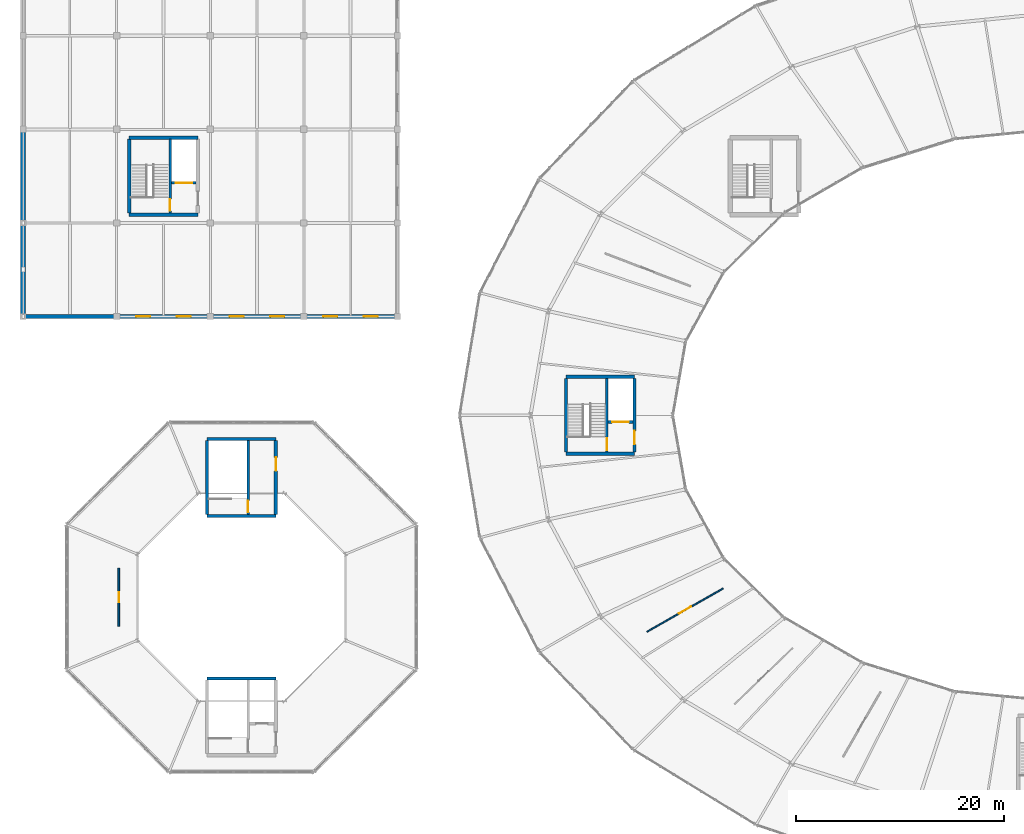
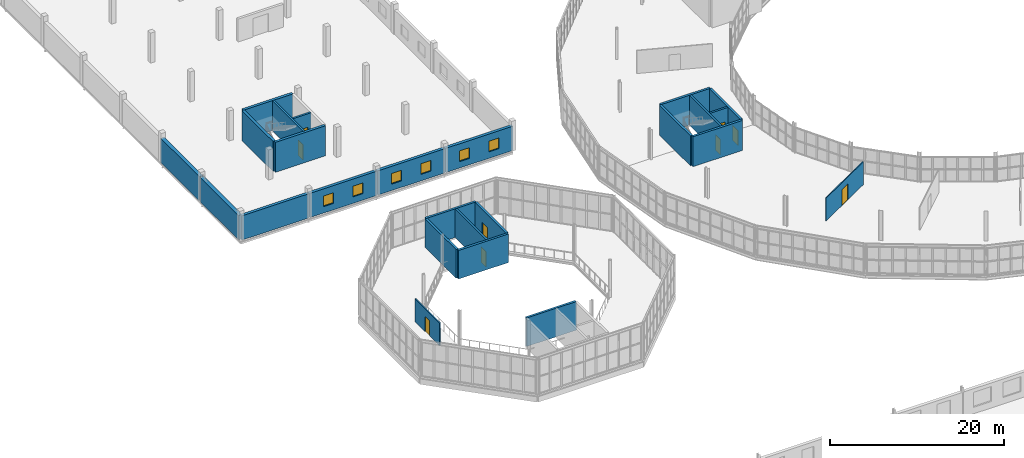
# One storey, part 136 of 161: 25 walls, 9 doors, 6 windows, 15 openings.
"""IFC4 building model written with IfcOpenShell, lengths in metres."""

from ifc_helpers import new_model, si_unit, direction, frame, frame_2d, origin, place, context, subcontext, project, spatial, rectangle, extrude, material, layer, layer_set, type_object, element, fill, save


model = new_model("IFC4")

# Units and contexts
model_context = context("Model", 3, precision=1e-05, world=origin(), true_north=direction((0.0, 1.0)))
body_context = subcontext(model_context, "Body", "Model", "MODEL_VIEW")
ifc_project = project(units=[si_unit("LENGTHUNIT", "METRE"), si_unit("AREAUNIT", "SQUARE_METRE"), si_unit("VOLUMEUNIT", "CUBIC_METRE"), si_unit("PLANEANGLEUNIT", "RADIAN"), si_unit("MASSUNIT", "GRAM", prefix="KILO")], contexts=[model_context])

# Site, building, storey
site_placement = place(None, origin())
site = spatial("IfcSite", under=ifc_project, at=site_placement, CompositionType="ELEMENT")
building_placement = place(site_placement, origin())
building = spatial("IfcBuilding", under=site, at=building_placement, Name="Kildeholm Park Wholesale Market", CompositionType="ELEMENT")
storey_placement = place(building_placement, frame((0.0, 0.0, 5.39990234375)))
storey = spatial("IfcBuildingStorey", under=building, at=storey_placement, Name="L01", CompositionType="ELEMENT", Elevation=5.39990234375)

# Wall
ifc_material_1 = material(Name="Precast concrete C40/50 insulated cold-store envelope wall", Category="concrete")
ifc_layer_1 = layer(ifc_material_1, 0.3798828125)
ifc_layer_set_1 = layer_set([ifc_layer_1], Name="Precast concrete C40/50 insulated cold-store envelope wall")
wall_type_1 = type_object("IfcWallType", Name="Exterior wall W-CS1 380 mm", PredefinedType="SOLIDWALL", material=ifc_layer_set_1)
wall_1_placement = place(storey_placement, frame((0.06005859375, 99.0, 0.0), z_axis=(0.0, 0.0, 1.0), x_axis=(1.0, 0.0, 0.0)))
element("IfcWall", 1, at=wall_1_placement, inside=storey, type_object=wall_type_1, Name="Exterior wall V4WS-L01.1 WL-0405", PredefinedType="SOLIDWALL", context=body_context, shape_type="SweptSolid", body=[
    extrude(rectangle(XDim=8.8798828125, YDim=0.3798828125, at=frame_2d((4.43994140625, 0.0))), origin(), (0.0, 0.0, 1.0), 3.400146484375),
])

# Wall, openings, windows
wall_2_placement = place(storey_placement, frame((9.06005859375, 99.0, 0.0), z_axis=(0.0, 0.0, 1.0), x_axis=(1.0, 0.0, 0.0)))
wall_2 = element("IfcWall", 2, at=wall_2_placement, inside=storey, type_object=wall_type_1, Name="Exterior wall V4WS-L01.2 WL-0406", PredefinedType="SOLIDWALL", context=body_context, shape_type="SweptSolid", body=[
    extrude(rectangle(XDim=8.8798828125, YDim=0.3798828125, at=frame_2d((4.43994140625, 0.0))), origin(), (0.0, 0.0, 1.0), 3.400146484375),
])
opening_1_placement = place(wall_2_placement, frame((1.81103515625, 0.0, 0.89990234375)))
opening_1 = element("IfcOpeningElement", 3, at=opening_1_placement, cuts=wall_2, Name="Opening WN-10", PredefinedType="OPENING", context=body_context, shape_type="SweptSolid", body=[
    extrude(rectangle(XDim=1.35009765625, YDim=1.5, at=frame_2d((0.675048828125, 0.75))), frame((0.0, 0.199951171875, 0.0), z_axis=(0.0, -1.0, 0.0), x_axis=(1.0, 0.0, 0.0)), (0.0, 0.0, 1.0), 0.39990234375),
])
opening_2_placement = place(wall_2_placement, frame((5.718994140625, 0.0, 0.89990234375)))
opening_2 = element("IfcOpeningElement", 4, at=opening_2_placement, cuts=wall_2, Name="Opening WN-10", PredefinedType="OPENING", context=body_context, shape_type="SweptSolid", body=[
    extrude(rectangle(XDim=1.35009765625, YDim=1.5, at=frame_2d((0.675048828125, 0.75))), frame((0.0, 0.199951171875, 0.0), z_axis=(0.0, -1.0, 0.0), x_axis=(1.0, 0.0, 0.0)), (0.0, 0.0, 1.0), 0.39990234375),
])
ifc_material_2 = material(Name="Thermally broken aluminium and triple-glazed low-E glass", Category="aluminium")
window_type = type_object("IfcWindowType", Name="Window WN-10 1350x1500", PartitioningType="SINGLE_PANEL", PredefinedType="WINDOW", material=ifc_material_2)
window_1_placement = place(opening_1_placement, origin())
window_1 = element("IfcWindow", 5, at=window_1_placement, inside=storey, type_object=window_type, Name="Window V4WS-L01.2.1 WIN-0195", OverallHeight=1.5, OverallWidth=1.35009765625, PartitioningType="SINGLE_PANEL", PredefinedType="WINDOW", context=body_context, shape_type="SweptSolid", body=[
    extrude(rectangle(XDim=1.35009765625, YDim=1.5, at=frame_2d((0.675048828125, 0.75))), frame((0.0, 0.030029296875, 0.0), z_axis=(0.0, -1.0, 0.0), x_axis=(1.0, 0.0, 0.0)), (0.0, 0.0, 1.0), 0.06005859375),
])
fill(opening_1, window_1)
window_2_placement = place(opening_2_placement, origin())
window_2 = element("IfcWindow", 6, at=window_2_placement, inside=storey, type_object=window_type, Name="Window V4WS-L01.2.2 WIN-0196", OverallHeight=1.5, OverallWidth=1.35009765625, PartitioningType="SINGLE_PANEL", PredefinedType="WINDOW", context=body_context, shape_type="SweptSolid", body=[
    extrude(rectangle(XDim=1.35009765625, YDim=1.5, at=frame_2d((0.675048828125, 0.75))), frame((0.0, 0.030029296875, 0.0), z_axis=(0.0, -1.0, 0.0), x_axis=(1.0, 0.0, 0.0)), (0.0, 0.0, 1.0), 0.06005859375),
])
fill(opening_2, window_2)

wall_3_placement = place(storey_placement, frame((18.06005859375, 99.0, 0.0), z_axis=(0.0, 0.0, 1.0), x_axis=(1.0, 0.0, 0.0)))
wall_3 = element("IfcWall", 7, at=wall_3_placement, inside=storey, type_object=wall_type_1, Name="Exterior wall V4WS-L01.3 WL-0407", PredefinedType="SOLIDWALL", context=body_context, shape_type="SweptSolid", body=[
    extrude(rectangle(XDim=8.8798828125, YDim=0.3798828125, at=frame_2d((4.43994140625, 0.0))), origin(), (0.0, 0.0, 1.0), 3.400146484375),
])
opening_3_placement = place(wall_3_placement, frame((1.81103515625, 0.0, 0.89990234375)))
opening_3 = element("IfcOpeningElement", 8, at=opening_3_placement, cuts=wall_3, Name="Opening WN-10", PredefinedType="OPENING", context=body_context, shape_type="SweptSolid", body=[
    extrude(rectangle(XDim=1.35009765625, YDim=1.5, at=frame_2d((0.675048828125, 0.75))), frame((0.0, 0.199951171875, 0.0), z_axis=(0.0, -1.0, 0.0), x_axis=(1.0, 0.0, 0.0)), (0.0, 0.0, 1.0), 0.39990234375),
])
opening_4_placement = place(wall_3_placement, frame((5.718994140625, 0.0, 0.89990234375)))
opening_4 = element("IfcOpeningElement", 9, at=opening_4_placement, cuts=wall_3, Name="Opening WN-10", PredefinedType="OPENING", context=body_context, shape_type="SweptSolid", body=[
    extrude(rectangle(XDim=1.35009765625, YDim=1.5, at=frame_2d((0.675048828125, 0.75))), frame((0.0, 0.199951171875, 0.0), z_axis=(0.0, -1.0, 0.0), x_axis=(1.0, 0.0, 0.0)), (0.0, 0.0, 1.0), 0.39990234375),
])
window_3_placement = place(opening_3_placement, origin())
window_3 = element("IfcWindow", 10, at=window_3_placement, inside=storey, type_object=window_type, Name="Window V4WS-L01.3.1 WIN-0197", OverallHeight=1.5, OverallWidth=1.35009765625, PartitioningType="SINGLE_PANEL", PredefinedType="WINDOW", context=body_context, shape_type="SweptSolid", body=[
    extrude(rectangle(XDim=1.35009765625, YDim=1.5, at=frame_2d((0.675048828125, 0.75))), frame((0.0, 0.030029296875, 0.0), z_axis=(0.0, -1.0, 0.0), x_axis=(1.0, 0.0, 0.0)), (0.0, 0.0, 1.0), 0.06005859375),
])
fill(opening_3, window_3)
window_4_placement = place(opening_4_placement, origin())
window_4 = element("IfcWindow", 11, at=window_4_placement, inside=storey, type_object=window_type, Name="Window V4WS-L01.3.2 WIN-0198", OverallHeight=1.5, OverallWidth=1.35009765625, PartitioningType="SINGLE_PANEL", PredefinedType="WINDOW", context=body_context, shape_type="SweptSolid", body=[
    extrude(rectangle(XDim=1.35009765625, YDim=1.5, at=frame_2d((0.675048828125, 0.75))), frame((0.0, 0.030029296875, 0.0), z_axis=(0.0, -1.0, 0.0), x_axis=(1.0, 0.0, 0.0)), (0.0, 0.0, 1.0), 0.06005859375),
])
fill(opening_4, window_4)

wall_4_placement = place(storey_placement, frame((27.06005859375, 99.0, 0.0), z_axis=(0.0, 0.0, 1.0), x_axis=(1.0, 0.0, 0.0)))
wall_4 = element("IfcWall", 12, at=wall_4_placement, inside=storey, type_object=wall_type_1, Name="Exterior wall V4WS-L01.4 WL-0408", PredefinedType="SOLIDWALL", context=body_context, shape_type="SweptSolid", body=[
    extrude(rectangle(XDim=8.8798828125, YDim=0.3798828125, at=frame_2d((4.43994140625, 0.0))), origin(), (0.0, 0.0, 1.0), 3.400146484375),
])
opening_5_placement = place(wall_4_placement, frame((1.81103515625, 0.0, 0.89990234375)))
opening_5 = element("IfcOpeningElement", 13, at=opening_5_placement, cuts=wall_4, Name="Opening WN-10", PredefinedType="OPENING", context=body_context, shape_type="SweptSolid", body=[
    extrude(rectangle(XDim=1.35009765625, YDim=1.5, at=frame_2d((0.675048828125, 0.75))), frame((0.0, 0.199951171875, 0.0), z_axis=(0.0, -1.0, 0.0), x_axis=(1.0, 0.0, 0.0)), (0.0, 0.0, 1.0), 0.39990234375),
])
opening_6_placement = place(wall_4_placement, frame((5.718994140625, 0.0, 0.89990234375)))
opening_6 = element("IfcOpeningElement", 14, at=opening_6_placement, cuts=wall_4, Name="Opening WN-10", PredefinedType="OPENING", context=body_context, shape_type="SweptSolid", body=[
    extrude(rectangle(XDim=1.35009765625, YDim=1.5, at=frame_2d((0.675048828125, 0.75))), frame((0.0, 0.199951171875, 0.0), z_axis=(0.0, -1.0, 0.0), x_axis=(1.0, 0.0, 0.0)), (0.0, 0.0, 1.0), 0.39990234375),
])
window_5_placement = place(opening_5_placement, origin())
window_5 = element("IfcWindow", 15, at=window_5_placement, inside=storey, type_object=window_type, Name="Window V4WS-L01.4.1 WIN-0199", OverallHeight=1.5, OverallWidth=1.35009765625, PartitioningType="SINGLE_PANEL", PredefinedType="WINDOW", context=body_context, shape_type="SweptSolid", body=[
    extrude(rectangle(XDim=1.35009765625, YDim=1.5, at=frame_2d((0.675048828125, 0.75))), frame((0.0, 0.030029296875, 0.0), z_axis=(0.0, -1.0, 0.0), x_axis=(1.0, 0.0, 0.0)), (0.0, 0.0, 1.0), 0.06005859375),
])
fill(opening_5, window_5)
window_6_placement = place(opening_6_placement, origin())
window_6 = element("IfcWindow", 16, at=window_6_placement, inside=storey, type_object=window_type, Name="Window V4WS-L01.4.2 WIN-0200", OverallHeight=1.5, OverallWidth=1.35009765625, PartitioningType="SINGLE_PANEL", PredefinedType="WINDOW", context=body_context, shape_type="SweptSolid", body=[
    extrude(rectangle(XDim=1.35009765625, YDim=1.5, at=frame_2d((0.675048828125, 0.75))), frame((0.0, 0.030029296875, 0.0), z_axis=(0.0, -1.0, 0.0), x_axis=(1.0, 0.0, 0.0)), (0.0, 0.0, 1.0), 0.06005859375),
])
fill(opening_6, window_6)

# Walls
ifc_material_3 = material(Name="Precast concrete C40/50 deep-freeze thermal envelope wall", Category="concrete")
ifc_layer_2 = layer(ifc_material_3, 0.47998046875)
ifc_layer_set_2 = layer_set([ifc_layer_2], Name="Precast concrete C40/50 deep-freeze thermal envelope wall")
wall_type_2 = type_object("IfcWallType", Name="Exterior wall W-CS2 480 mm", PredefinedType="SOLIDWALL", material=ifc_layer_set_2)
for number, where, z_axis, x_axis, name in (
    (17, (0.0, 99.06005859375, 0.0), (0.0, 0.0, 1.0), (0.0, 1.0, 0.0), "Exterior wall V4W-L01.1 WL-0385"),
    (18, (0.0, 108.06005859375, 0.0), (0.0, 0.0, 1.0), (0.0, 1.0, 0.0), "Exterior wall V4W-L01.2 WL-0386"),
):
    element("IfcWall", number, at=place(storey_placement, frame(where, z_axis=z_axis, x_axis=x_axis)), inside=storey, type_object=wall_type_2, Name=name, PredefinedType="SOLIDWALL", context=body_context, shape_type="SweptSolid", body=[
        extrude(rectangle(XDim=8.8798828125, YDim=0.47998046875, at=frame_2d((4.43994140625, 0.0))), origin(), (0.0, 0.0, 1.0), 3.400146484375),
    ])

# Wall, opening, door
ifc_material_4 = material(Name="Galvanized steel stud and moisture-resistant tile partition", Category="steel")
ifc_layer_3 = layer(ifc_material_4, 0.1201171875)
ifc_layer_set_3 = layer_set([ifc_layer_3], Name="Galvanized steel stud and moisture-resistant tile partition")
wall_type_3 = type_object("IfcWallType", Name="Partition W-PT02 120 mm", PredefinedType="PARTITIONING", material=ifc_layer_set_3)
wall_5_placement = place(storey_placement, frame((67.3330078125, 72.841064453125, 0.0), z_axis=(0.0, 0.0, 1.0), x_axis=(-0.869564093622, -0.493820095869, 0.0)))
wall_5 = element("IfcWall", 19, at=wall_5_placement, inside=storey, type_object=wall_type_3, Name="Interior partition W-V1-ST1-14 WL-0943", PredefinedType="PARTITIONING", context=body_context, shape_type="SweptSolid", body=[
    extrude(rectangle(XDim=8.442138671875, YDim=0.1201171875, at=frame_2d((4.22119140625, 0.0))), origin(), (0.0, 0.0, 1.0), 3.2001953125),
])
opening_7_placement = place(wall_5_placement, frame((3.5458984375, 0.0, 0.0)))
opening_7 = element("IfcOpeningElement", 20, at=opening_7_placement, cuts=wall_5, Name="Opening D-IN07", PredefinedType="OPENING", context=body_context, shape_type="SweptSolid", body=[
    extrude(rectangle(XDim=1.35009765625, YDim=2.199951171875, at=frame_2d((0.675048828125, 1.10009765625))), frame((0.0, 0.070068359375, 0.0), z_axis=(0.0, -1.0, 0.0), x_axis=(1.0, 0.0, 0.0)), (0.0, 0.0, 1.0), 0.14013671875),
])
ifc_material_5 = material(Name="Wholesale stall service doorset")
door_type_1 = type_object("IfcDoorType", Name="Interior door D-IN07 1350x2200", OperationType="NOTDEFINED", PredefinedType="DOOR", material=ifc_material_5)
door_1_placement = place(opening_7_placement, origin())
door_1 = element("IfcDoor", 21, at=door_1_placement, inside=storey, type_object=door_type_1, Name="Interior door V1-ST1-14 DR-0218 WL-0943", OperationType="SINGLE_SWING_RIGHT", OverallHeight=2.199951171875, OverallWidth=1.35009765625, PredefinedType="DOOR", context=body_context, shape_type="SweptSolid", body=[
    extrude(rectangle(XDim=1.35009765625, YDim=2.199951171875, at=frame_2d((0.675048828125, 1.10009765625))), frame((0.0, 0.02490234375, 0.0), z_axis=(0.0, -1.0, 0.0), x_axis=(1.0, 0.0, 0.0)), (0.0, 0.0, 1.0), 0.050048828125),
])
fill(opening_7, door_1)

ifc_material_6 = material(Name="Tile-faced sanitary core partition")
ifc_layer_4 = layer(ifc_material_6, 0.155029296875)
ifc_layer_set_4 = layer_set([ifc_layer_4], Name="Tile-faced sanitary core partition")
wall_type_4 = type_object("IfcWallType", Name="Partition W-PT15 155 mm", PredefinedType="PARTITIONING", material=ifc_layer_set_4)
wall_6_placement = place(storey_placement, frame((9.199951171875, 69.199951171875, 0.0), z_axis=(0.0, 0.0, 1.0), x_axis=(0.0, 1.0, 0.0)))
wall_6 = element("IfcWall", 22, at=wall_6_placement, inside=storey, type_object=wall_type_4, Name="Interior partition W-V3-WC1 WL-0969", PredefinedType="PARTITIONING", context=body_context, shape_type="SweptSolid", body=[
    extrude(rectangle(XDim=5.60009765625, YDim=0.155029296875, at=frame_2d((2.800048828125, 0.0))), origin(), (0.0, 0.0, 1.0), 3.2001953125),
])
opening_8_placement = place(wall_6_placement, frame((2.300048828125, 0.0, 0.0)))
opening_8 = element("IfcOpeningElement", 23, at=opening_8_placement, cuts=wall_6, Name="Opening D-IN02", PredefinedType="OPENING", context=body_context, shape_type="SweptSolid", body=[
    extrude(rectangle(XDim=1.0, YDim=2.10009765625, at=frame_2d((0.5, 1.050048828125))), frame((0.0, 0.08740234375, 0.0), z_axis=(0.0, -1.0, 0.0), x_axis=(1.0, 0.0, 0.0)), (0.0, 0.0, 1.0), 0.175048828125),
])
ifc_material_7 = material(Name="Hygienic laminate accessible WC doorset")
door_type_2 = type_object("IfcDoorType", Name="Interior door D-IN02 1000x2100", OperationType="NOTDEFINED", PredefinedType="DOOR", material=ifc_material_7)
door_2_placement = place(opening_8_placement, origin())
door_2 = element("IfcDoor", 24, at=door_2_placement, inside=storey, type_object=door_type_2, Name="Interior door V3-WC1 DR-0244 WL-0969", OperationType="SINGLE_SWING_RIGHT", OverallHeight=2.10009765625, OverallWidth=1.0, PredefinedType="DOOR", context=body_context, shape_type="SweptSolid", body=[
    extrude(rectangle(XDim=1.0, YDim=2.10009765625, at=frame_2d((0.5, 1.050048828125))), frame((0.0, 0.02490234375, 0.0), z_axis=(0.0, -1.0, 0.0), x_axis=(1.0, 0.0, 0.0)), (0.0, 0.0, 1.0), 0.050048828125),
])
fill(opening_8, door_2)

# Walls
ifc_material_8 = material(Name="Concrete C40/50", Category="concrete")
ifc_layer_5 = layer(ifc_material_8, 0.300048828125)
ifc_layer_set_5 = layer_set([ifc_layer_5], Name="Concrete C40/50")
wall_type_5 = type_object("IfcWallType", Name="Shear wall W-SH1 300 mm", PredefinedType="SHEAR", material=ifc_layer_set_5)
for number, where, z_axis, x_axis, name in (
    (25, (52.199951171875, 85.800048828125, 0.0), (0.0, 0.0, 1.0), (1.0, 0.0, 0.0), "Core C09 south shear wall L01 WL-0816"),
    (26, (52.199951171875, 93.199951171875, 0.0), (0.0, 0.0, 1.0), (1.0, 0.0, 0.0), "Core C09 north shear wall L01 WL-0817"),
):
    element("IfcWall", number, at=place(storey_placement, frame(where, z_axis=z_axis, x_axis=x_axis)), inside=storey, type_object=wall_type_5, Name=name, PredefinedType="SHEAR", context=body_context, shape_type="SweptSolid", body=[
        extrude(rectangle(XDim=6.60009765625, YDim=0.300048828125, at=frame_2d((3.300048828125, 0.0))), origin(), (0.0, 0.0, 1.0), 4.2001953125),
    ])
wall_7_placement = place(storey_placement, frame((52.199951171875, 85.949951171875, 0.0), z_axis=(0.0, 0.0, 1.0), x_axis=(0.0, 1.0, 0.0)))
element("IfcWall", 27, at=wall_7_placement, inside=storey, type_object=wall_type_5, Name="Core C09 west shear wall L01 WL-0818", PredefinedType="SHEAR", context=body_context, shape_type="SweptSolid", body=[
    extrude(rectangle(XDim=7.10009765625, YDim=0.300048828125, at=frame_2d((3.550048828125, 0.0))), origin(), (0.0, 0.0, 1.0), 4.2001953125),
])

# Wall, opening, door
wall_8_placement = place(storey_placement, frame((58.800048828125, 85.949951171875, 0.0), z_axis=(0.0, 0.0, 1.0), x_axis=(0.0, 1.0, 0.0)))
wall_8 = element("IfcWall", 28, at=wall_8_placement, inside=storey, type_object=wall_type_5, Name="Core C09 east shear wall L01 WL-0819", PredefinedType="SHEAR", context=body_context, shape_type="SweptSolid", body=[
    extrude(rectangle(XDim=7.10009765625, YDim=0.300048828125, at=frame_2d((3.550048828125, 0.0))), origin(), (0.0, 0.0, 1.0), 4.2001953125),
])
opening_9_placement = place(wall_8_placement, frame((0.75, 0.0, 0.0)))
opening_9 = element("IfcOpeningElement", 29, at=opening_9_placement, cuts=wall_8, Name="Opening D-CR02", PredefinedType="OPENING", context=body_context, shape_type="SweptSolid", body=[
    extrude(rectangle(XDim=1.300048828125, YDim=2.14990234375, at=frame_2d((0.64990234375, 1.074951171875))), frame((0.0, 0.159912109375, 0.0), z_axis=(0.0, -1.0, 0.0), x_axis=(1.0, 0.0, 0.0)), (0.0, 0.0, 1.0), 0.320068359375),
])
ifc_material_9 = material(Name="Painted steel core lobby double-leaf doorset", Category="steel")
door_type_3 = type_object("IfcDoorType", Name="Interior door D-CR02 1300x2150", OperationType="NOTDEFINED", PredefinedType="DOOR", material=ifc_material_9)
door_3_placement = place(opening_9_placement, frame((1.300048828125, 0.0, 0.0), z_axis=(0.0, 0.0, 1.0), x_axis=(-1.0, 0.0, 0.0)))
door_3 = element("IfcDoor", 30, at=door_3_placement, inside=storey, type_object=door_type_3, Name="Core C09 lobby entrance door L01 DR-0160 WL-0819", OperationType="DOUBLE_DOOR_SINGLE_SWING", OverallHeight=2.14990234375, OverallWidth=1.300048828125, PredefinedType="DOOR", context=body_context, shape_type="SweptSolid", body=[
    extrude(rectangle(XDim=1.300048828125, YDim=2.14990234375, at=frame_2d((0.64990234375, 1.074951171875))), frame((0.0, 0.02490234375, 0.0), z_axis=(0.0, -1.0, 0.0), x_axis=(1.0, 0.0, 0.0)), (0.0, 0.0, 1.0), 0.050048828125),
])
fill(opening_9, door_3)

# Walls
for number, where, z_axis, x_axis, name in (
    (31, (17.699951171875, 64.199951171875, 0.0), (0.0, 0.0, 1.0), (1.0, 0.0, 0.0), "Core C14 north shear wall L01 WL-0898"),
    (32, (17.699951171875, 79.800048828125, 0.0), (0.0, 0.0, 1.0), (1.0, 0.0, 0.0), "Core C15 south shear wall L01 WL-0908"),
    (33, (17.699951171875, 87.199951171875, 0.0), (0.0, 0.0, 1.0), (1.0, 0.0, 0.0), "Core C15 north shear wall L01 WL-0909"),
):
    element("IfcWall", number, at=place(storey_placement, frame(where, z_axis=z_axis, x_axis=x_axis)), inside=storey, type_object=wall_type_5, Name=name, PredefinedType="SHEAR", context=body_context, shape_type="SweptSolid", body=[
        extrude(rectangle(XDim=6.60009765625, YDim=0.300048828125, at=frame_2d((3.300048828125, 0.0))), origin(), (0.0, 0.0, 1.0), 4.0),
    ])
wall_9_placement = place(storey_placement, frame((17.699951171875, 79.949951171875, 0.0), z_axis=(0.0, 0.0, 1.0), x_axis=(0.0, 1.0, 0.0)))
element("IfcWall", 34, at=wall_9_placement, inside=storey, type_object=wall_type_5, Name="Core C15 west shear wall L01 WL-0910", PredefinedType="SHEAR", context=body_context, shape_type="SweptSolid", body=[
    extrude(rectangle(XDim=7.10009765625, YDim=0.300048828125, at=frame_2d((3.550048828125, 0.0))), origin(), (0.0, 0.0, 1.0), 4.0),
])

# Wall, opening, door
wall_10_placement = place(storey_placement, frame((24.300048828125, 79.949951171875, 0.0), z_axis=(0.0, 0.0, 1.0), x_axis=(0.0, 1.0, 0.0)))
wall_10 = element("IfcWall", 35, at=wall_10_placement, inside=storey, type_object=wall_type_5, Name="Core C15 east shear wall L01 WL-0911", PredefinedType="SHEAR", context=body_context, shape_type="SweptSolid", body=[
    extrude(rectangle(XDim=7.10009765625, YDim=0.300048828125, at=frame_2d((3.550048828125, 0.0))), origin(), (0.0, 0.0, 1.0), 4.0),
])
opening_10_placement = place(wall_10_placement, frame((4.199951171875, 0.0, 0.0)))
opening_10 = element("IfcOpeningElement", 36, at=opening_10_placement, cuts=wall_10, Name="Opening D-CR02", PredefinedType="OPENING", context=body_context, shape_type="SweptSolid", body=[
    extrude(rectangle(XDim=1.300048828125, YDim=2.14990234375, at=frame_2d((0.64990234375, 1.074951171875))), frame((0.0, 0.159912109375, 0.0), z_axis=(0.0, -1.0, 0.0), x_axis=(1.0, 0.0, 0.0)), (0.0, 0.0, 1.0), 0.320068359375),
])
door_4_placement = place(opening_10_placement, frame((1.300048828125, 0.0, 0.0), z_axis=(0.0, 0.0, 1.0), x_axis=(-1.0, 0.0, 0.0)))
door_4 = element("IfcDoor", 37, at=door_4_placement, inside=storey, type_object=door_type_3, Name="Core C15 lobby entrance door L01 DR-0207 WL-0911", OperationType="DOUBLE_DOOR_SINGLE_SWING", OverallHeight=2.14990234375, OverallWidth=1.300048828125, PredefinedType="DOOR", context=body_context, shape_type="SweptSolid", body=[
    extrude(rectangle(XDim=1.300048828125, YDim=2.14990234375, at=frame_2d((0.64990234375, 1.074951171875))), frame((0.0, 0.02490234375, 0.0), z_axis=(0.0, -1.0, 0.0), x_axis=(1.0, 0.0, 0.0)), (0.0, 0.0, 1.0), 0.050048828125),
])
fill(opening_10, door_4)

ifc_layer_6 = layer(ifc_material_8, 0.25)
ifc_layer_set_6 = layer_set([ifc_layer_6], Name="Concrete C40/50")
wall_type_6 = type_object("IfcWallType", Name="Shear wall W-SH2 250 mm", PredefinedType="SHEAR", material=ifc_layer_set_6)
wall_11_placement = place(storey_placement, frame((14.14990234375, 108.949951171875, 0.0), z_axis=(0.0, 0.0, 1.0), x_axis=(0.0, 1.0, 0.0)))
wall_11 = element("IfcWall", 38, at=wall_11_placement, inside=storey, type_object=wall_type_6, Name="Core C01 shaft wall L01 WL-0657", PredefinedType="SHEAR", context=body_context, shape_type="SweptSolid", body=[
    extrude(rectangle(XDim=7.10009765625, YDim=0.25, at=frame_2d((3.550048828125, 0.0))), origin(), (0.0, 0.0, 1.0), 4.2001953125),
])
opening_11_placement = place(wall_11_placement, frame((0.199951171875, 0.0, 0.0)))
opening_11 = element("IfcOpeningElement", 39, at=opening_11_placement, cuts=wall_11, Name="Opening D-CR01", PredefinedType="OPENING", context=body_context, shape_type="SweptSolid", body=[
    extrude(rectangle(XDim=1.14990234375, YDim=2.14990234375, at=frame_2d((0.574951171875, 1.074951171875))), frame((0.0, 0.135009765625, 0.0), z_axis=(0.0, -1.0, 0.0), x_axis=(1.0, 0.0, 0.0)), (0.0, 0.0, 1.0), 0.27001953125),
])
ifc_material_10 = material(Name="Painted steel fire escape doorset", Category="steel")
door_type_4 = type_object("IfcDoorType", Name="Interior door D-CR01 1150x2150", OperationType="NOTDEFINED", PredefinedType="DOOR", material=ifc_material_10)
door_5_placement = place(opening_11_placement, frame((1.14990234375, 0.0, 0.0), z_axis=(0.0, 0.0, 1.0), x_axis=(-1.0, 0.0, 0.0)))
door_5 = element("IfcDoor", 40, at=door_5_placement, inside=storey, type_object=door_type_4, Name="Core C01 stair fire door L01 DR-0077 WL-0657", OperationType="SINGLE_SWING_RIGHT", OverallHeight=2.14990234375, OverallWidth=1.14990234375, PredefinedType="DOOR", context=body_context, shape_type="SweptSolid", body=[
    extrude(rectangle(XDim=1.14990234375, YDim=2.14990234375, at=frame_2d((0.574951171875, 1.074951171875))), frame((0.0, 0.02490234375, 0.0), z_axis=(0.0, -1.0, 0.0), x_axis=(1.0, 0.0, 0.0)), (0.0, 0.0, 1.0), 0.050048828125),
])
fill(opening_11, door_5)

wall_12_placement = place(storey_placement, frame((14.27001953125, 111.85009765625, 0.0), z_axis=(0.0, 0.0, 1.0), x_axis=(1.0, 0.0, 0.0)))
wall_12 = element("IfcWall", 41, at=wall_12_placement, inside=storey, type_object=wall_type_6, Name="Lift LF-06 shaft front wall L01 WL-0658", PredefinedType="SHEAR", context=body_context, shape_type="SweptSolid", body=[
    extrude(rectangle(XDim=2.3798828125, YDim=0.25, at=frame_2d((1.18994140625, 0.0))), origin(), (0.0, 0.0, 1.0), 4.2001953125),
])
opening_12_placement = place(wall_12_placement, frame((0.389892578125, 0.0, 0.0)))
opening_12 = element("IfcOpeningElement", 42, at=opening_12_placement, cuts=wall_12, Name="Opening LD-06", PredefinedType="OPENING", context=body_context, shape_type="SweptSolid", body=[
    extrude(rectangle(XDim=1.60009765625, YDim=2.300048828125, at=frame_2d((0.800048828125, 1.14990234375))), frame((0.0, 0.135009765625, 0.0), z_axis=(0.0, -1.0, 0.0), x_axis=(1.0, 0.0, 0.0)), (0.0, 0.0, 1.0), 0.27001953125),
])
ifc_material_11 = material(Name="Stainless steel AISI 316 goods lift landing door", Category="steel")
door_type_5 = type_object("IfcDoorType", Name="Interior door D-LD02 1600x2300", OperationType="NOTDEFINED", PredefinedType="DOOR", material=ifc_material_11)
door_6_placement = place(opening_12_placement, origin())
door_6 = element("IfcDoor", 43, at=door_6_placement, inside=storey, type_object=door_type_5, Name="Lift LF-06 sliding landing door L01 DR-0078 WL-0658", OperationType="SLIDING_TO_LEFT", OverallHeight=2.300048828125, OverallWidth=1.60009765625, PredefinedType="DOOR", context=body_context, shape_type="SweptSolid", body=[
    extrude(rectangle(XDim=1.60009765625, YDim=2.300048828125, at=frame_2d((0.800048828125, 1.14990234375))), frame((0.0, 0.02490234375, 0.0), z_axis=(0.0, -1.0, 0.0), x_axis=(1.0, 0.0, 0.0)), (0.0, 0.0, 1.0), 0.050048828125),
])
fill(opening_12, door_6)

wall_13_placement = place(storey_placement, frame((56.14990234375, 85.949951171875, 0.0), z_axis=(0.0, 0.0, 1.0), x_axis=(0.0, 1.0, 0.0)))
wall_13 = element("IfcWall", 44, at=wall_13_placement, inside=storey, type_object=wall_type_6, Name="Core C09 shaft wall L01 WL-0820", PredefinedType="SHEAR", context=body_context, shape_type="SweptSolid", body=[
    extrude(rectangle(XDim=7.10009765625, YDim=0.25, at=frame_2d((3.550048828125, 0.0))), origin(), (0.0, 0.0, 1.0), 4.2001953125),
])
opening_13_placement = place(wall_13_placement, frame((0.199951171875, 0.0, 0.0)))
opening_13 = element("IfcOpeningElement", 45, at=opening_13_placement, cuts=wall_13, Name="Opening D-CR01", PredefinedType="OPENING", context=body_context, shape_type="SweptSolid", body=[
    extrude(rectangle(XDim=1.14990234375, YDim=2.14990234375, at=frame_2d((0.574951171875, 1.074951171875))), frame((0.0, 0.135009765625, 0.0), z_axis=(0.0, -1.0, 0.0), x_axis=(1.0, 0.0, 0.0)), (0.0, 0.0, 1.0), 0.27001953125),
])
door_7_placement = place(opening_13_placement, frame((1.14990234375, 0.0, 0.0), z_axis=(0.0, 0.0, 1.0), x_axis=(-1.0, 0.0, 0.0)))
door_7 = element("IfcDoor", 46, at=door_7_placement, inside=storey, type_object=door_type_4, Name="Core C09 stair fire door L01 DR-0161 WL-0820", OperationType="SINGLE_SWING_LEFT", OverallHeight=2.14990234375, OverallWidth=1.14990234375, PredefinedType="DOOR", context=body_context, shape_type="SweptSolid", body=[
    extrude(rectangle(XDim=1.14990234375, YDim=2.14990234375, at=frame_2d((0.574951171875, 1.074951171875))), frame((0.0, 0.02490234375, 0.0), z_axis=(0.0, -1.0, 0.0), x_axis=(1.0, 0.0, 0.0)), (0.0, 0.0, 1.0), 0.050048828125),
])
fill(opening_13, door_7)

wall_14_placement = place(storey_placement, frame((56.27001953125, 88.85009765625, 0.0), z_axis=(0.0, 0.0, 1.0), x_axis=(1.0, 0.0, 0.0)))
wall_14 = element("IfcWall", 47, at=wall_14_placement, inside=storey, type_object=wall_type_6, Name="Lift LF-08 shaft front wall L01 WL-0821", PredefinedType="SHEAR", context=body_context, shape_type="SweptSolid", body=[
    extrude(rectangle(XDim=2.3798828125, YDim=0.25, at=frame_2d((1.18994140625, 0.0))), origin(), (0.0, 0.0, 1.0), 4.2001953125),
])
opening_14_placement = place(wall_14_placement, frame((0.389892578125, 0.0, 0.0)))
opening_14 = element("IfcOpeningElement", 48, at=opening_14_placement, cuts=wall_14, Name="Opening LD-08", PredefinedType="OPENING", context=body_context, shape_type="SweptSolid", body=[
    extrude(rectangle(XDim=1.60009765625, YDim=2.300048828125, at=frame_2d((0.800048828125, 1.14990234375))), frame((0.0, 0.135009765625, 0.0), z_axis=(0.0, -1.0, 0.0), x_axis=(1.0, 0.0, 0.0)), (0.0, 0.0, 1.0), 0.27001953125),
])
door_8_placement = place(opening_14_placement, origin())
door_8 = element("IfcDoor", 49, at=door_8_placement, inside=storey, type_object=door_type_5, Name="Lift LF-08 sliding landing door L01 DR-0162 WL-0821", OperationType="SLIDING_TO_LEFT", OverallHeight=2.300048828125, OverallWidth=1.60009765625, PredefinedType="DOOR", context=body_context, shape_type="SweptSolid", body=[
    extrude(rectangle(XDim=1.60009765625, YDim=2.300048828125, at=frame_2d((0.800048828125, 1.14990234375))), frame((0.0, 0.02490234375, 0.0), z_axis=(0.0, -1.0, 0.0), x_axis=(1.0, 0.0, 0.0)), (0.0, 0.0, 1.0), 0.050048828125),
])
fill(opening_14, door_8)

wall_15_placement = place(storey_placement, frame((21.64990234375, 79.949951171875, 0.0), z_axis=(0.0, 0.0, 1.0), x_axis=(0.0, 1.0, 0.0)))
wall_15 = element("IfcWall", 50, at=wall_15_placement, inside=storey, type_object=wall_type_6, Name="Core C15 shaft wall L01 WL-0912", PredefinedType="SHEAR", context=body_context, shape_type="SweptSolid", body=[
    extrude(rectangle(XDim=7.10009765625, YDim=0.25, at=frame_2d((3.550048828125, 0.0))), origin(), (0.0, 0.0, 1.0), 4.0),
])
opening_15_placement = place(wall_15_placement, frame((0.199951171875, 0.0, 0.0)))
opening_15 = element("IfcOpeningElement", 51, at=opening_15_placement, cuts=wall_15, Name="Opening D-CR01", PredefinedType="OPENING", context=body_context, shape_type="SweptSolid", body=[
    extrude(rectangle(XDim=1.14990234375, YDim=2.14990234375, at=frame_2d((0.574951171875, 1.074951171875))), frame((0.0, 0.135009765625, 0.0), z_axis=(0.0, -1.0, 0.0), x_axis=(1.0, 0.0, 0.0)), (0.0, 0.0, 1.0), 0.27001953125),
])
door_9_placement = place(opening_15_placement, frame((1.14990234375, 0.0, 0.0), z_axis=(0.0, 0.0, 1.0), x_axis=(-1.0, 0.0, 0.0)))
door_9 = element("IfcDoor", 52, at=door_9_placement, inside=storey, type_object=door_type_4, Name="Core C15 stair fire door L01 DR-0208 WL-0912", OperationType="SINGLE_SWING_RIGHT", OverallHeight=2.14990234375, OverallWidth=1.14990234375, PredefinedType="DOOR", context=body_context, shape_type="SweptSolid", body=[
    extrude(rectangle(XDim=1.14990234375, YDim=2.14990234375, at=frame_2d((0.574951171875, 1.074951171875))), frame((0.0, 0.02490234375, 0.0), z_axis=(0.0, -1.0, 0.0), x_axis=(1.0, 0.0, 0.0)), (0.0, 0.0, 1.0), 0.050048828125),
])
fill(opening_15, door_9)

# Walls
ifc_layer_7 = layer(ifc_material_8, 0.35009765625)
ifc_layer_set_7 = layer_set([ifc_layer_7], Name="Concrete C40/50")
wall_type_7 = type_object("IfcWallType", Name="Shear wall W-SH3 350 mm", PredefinedType="SHEAR", material=ifc_layer_set_7)
for number, where, z_axis, x_axis, name in (
    (53, (10.199951171875, 108.800048828125, 0.0), (0.0, 0.0, 1.0), (1.0, 0.0, 0.0), "Core C01 south shear wall L01 WL-0653"),
    (54, (10.199951171875, 116.199951171875, 0.0), (0.0, 0.0, 1.0), (1.0, 0.0, 0.0), "Core C01 north shear wall L01 WL-0654"),
):
    element("IfcWall", number, at=place(storey_placement, frame(where, z_axis=z_axis, x_axis=x_axis)), inside=storey, type_object=wall_type_7, Name=name, PredefinedType="SHEAR", context=body_context, shape_type="SweptSolid", body=[
        extrude(rectangle(XDim=6.60009765625, YDim=0.35009765625, at=frame_2d((3.300048828125, 0.0))), origin(), (0.0, 0.0, 1.0), 4.2001953125),
    ])
wall_16_placement = place(storey_placement, frame((10.199951171875, 108.949951171875, 0.0), z_axis=(0.0, 0.0, 1.0), x_axis=(0.0, 1.0, 0.0)))
element("IfcWall", 55, at=wall_16_placement, inside=storey, type_object=wall_type_7, Name="Core C01 west shear wall L01 WL-0655", PredefinedType="SHEAR", context=body_context, shape_type="SweptSolid", body=[
    extrude(rectangle(XDim=7.10009765625, YDim=0.35009765625, at=frame_2d((3.550048828125, 0.0))), origin(), (0.0, 0.0, 1.0), 4.2001953125),
])

save(model, "model.ifc")
